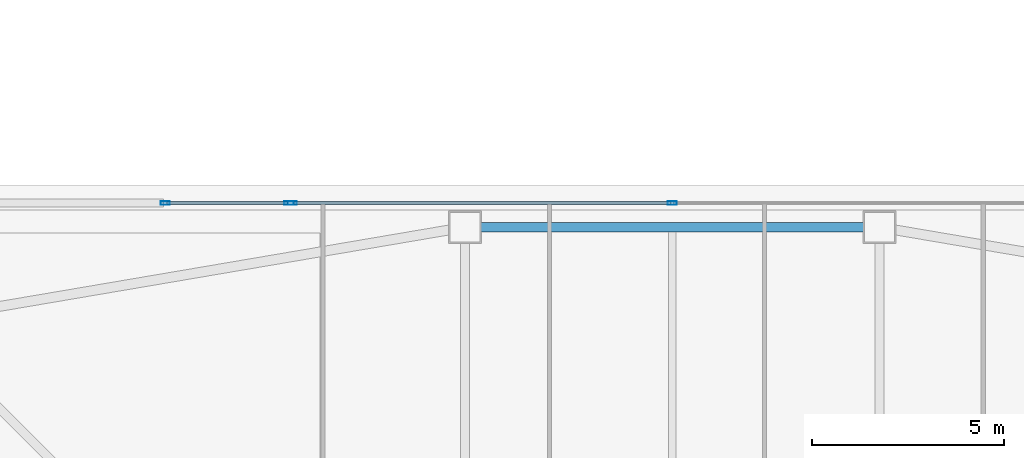
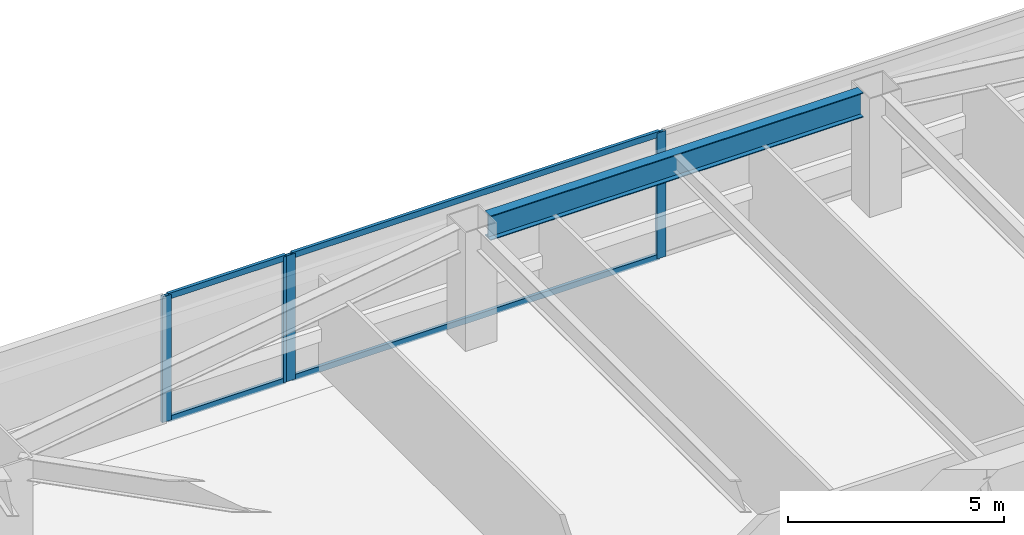
# One storey, part 15 of 48: 8 members, 1 beam, 2 elements without a shape of their own.
"""IFC4 building model written with IfcOpenShell, lengths in metres."""

from ifc_helpers import new_model, si_unit, direction, frame, origin, origin_2d, place, context, subcontext, project, spatial, hollow_rectangle, i_section, extrude, material, material_profile, profile_set, type_object, element, aggregate, save


model = new_model("IFC4")

# Units and contexts
model_context = context("Model", 3, precision=1e-05, world=origin(), true_north=direction((0.0, 1.0)))
body_context = subcontext(model_context, "Body", "Model", "MODEL_VIEW")
ifc_project = project(units=[si_unit("LENGTHUNIT", "METRE"), si_unit("AREAUNIT", "SQUARE_METRE"), si_unit("VOLUMEUNIT", "CUBIC_METRE"), si_unit("PLANEANGLEUNIT", "RADIAN"), si_unit("MASSUNIT", "GRAM", prefix="KILO")], contexts=[model_context])

# Site, building, storey
site_placement = place(None, origin())
site = spatial("IfcSite", under=ifc_project, at=site_placement, CompositionType="ELEMENT")
building_placement = place(site_placement, origin())
building = spatial("IfcBuilding", under=site, at=building_placement, Name="Tashvorn Skyway Center", CompositionType="ELEMENT")
storey_placement = place(building_placement, frame((0.0, 0.0, 56.550048828125)))
storey = spatial("IfcBuildingStorey", under=building, at=storey_placement, Name="L14", CompositionType="ELEMENT", Elevation=56.550048828125)

# Beam
ifc_material_1 = material(Name="Steel ASTM A992 Grade 50", Category="steel")
ifc_material_profile_1 = material_profile(ifc_material_1, i_section(OverallWidth=0.256103515625, OverallDepth=0.693115234375, WebThickness=0.014404296875, FlangeThickness=0.023681640625, at=origin_2d()), Name="W27X114")
ifc_profile_set_1 = profile_set([ifc_material_profile_1], Name="Steel ASTM A992 Grade 50")
beam_type = type_object("IfcBeamType", Name="BM-SPANDREL-W27X114", PredefinedType="SPANDREL", material=ifc_profile_set_1)
beam_placement = place(storey_placement, frame((46.97998046875, 54.25, 3.00341796875), z_axis=(-1.0, 0.0, 0.0), x_axis=(0.0, -1.0, 0.0)))
element("IfcBeam", 1, at=beam_placement, inside=storey, type_object=beam_type, Name="Tower 1 L14 Spandrel Beam 08", PredefinedType="SPANDREL", context=body_context, shape_type="SweptSolid", body=[
    extrude(i_section(OverallWidth=0.256103515625, OverallDepth=0.693115234375, WebThickness=0.014404296875, FlangeThickness=0.023681640625, at=origin_2d()), origin(), (0.0, 0.0, 1.0), 9.9599609375),
])

# Curtain wall, members
ifc_material_2 = material(Name="Thermally broken bronze-anodized aluminium 6063-T6", Category="aluminium")
curtain_wall_type = type_object("IfcCurtainWallType", Name="CW-CW-Z1", PredefinedType="NOTDEFINED", material=ifc_material_2)
curtain_wall_1_placement = place(storey_placement, origin())
curtain_wall_1 = element("IfcCurtainWall", 2, at=curtain_wall_1_placement, inside=storey, type_object=curtain_wall_type, Name="Tower 1 L14 North Unitised Curtain Wall Glazing Group 1", PredefinedType="NOTDEFINED")
ifc_material_profile_2 = material_profile(ifc_material_2, hollow_rectangle(XDim=0.0849609375, YDim=0.239990234375, WallThickness=0.0048828125, at=origin_2d()), Name="ALU-MULL-85x240")
ifc_profile_set_2 = profile_set([ifc_material_profile_2], Name="Thermally broken bronze-anodized aluminium 6063-T6")
member_type_1 = type_object("IfcMemberType", Name="CWM-CW-Z1", PredefinedType="MULLION", material=ifc_profile_set_2)
member_1_placement = place(storey_placement, frame((28.789306640625, 54.8798828125, 0.0), z_axis=(0.0, 0.0, 1.0), x_axis=(0.0, 1.0, 0.0)))
member_1 = element("IfcMember", 3, at=member_1_placement, type_object=member_type_1, Name="CW-Z1 mullion 1", PredefinedType="MULLION", context=body_context, shape_type="SweptSolid", body=[
    extrude(hollow_rectangle(XDim=0.0849609375, YDim=0.239990234375, WallThickness=0.0048828125, at=origin_2d()), origin(), (0.0, 0.0, 1.0), 3.550048828125),
])
member_2_placement = place(storey_placement, frame((32.017578125, 54.8798828125, 0.0), z_axis=(0.0, 0.0, 1.0), x_axis=(0.0, 1.0, 0.0)))
member_2 = element("IfcMember", 4, at=member_2_placement, type_object=member_type_1, Name="CW-Z1 mullion 2", PredefinedType="MULLION", context=body_context, shape_type="SweptSolid", body=[
    extrude(hollow_rectangle(XDim=0.0849609375, YDim=0.239990234375, WallThickness=0.0048828125, at=origin_2d()), origin(), (0.0, 0.0, 1.0), 3.550048828125),
])

curtain_wall_2_placement = place(storey_placement, origin())
curtain_wall_2 = element("IfcCurtainWall", 5, at=curtain_wall_2_placement, inside=storey, type_object=curtain_wall_type, Name="Tower 1 L14 North Unitised Curtain Wall Glazing Group 2", PredefinedType="NOTDEFINED")
member_3_placement = place(storey_placement, frame((32.1025390625, 54.8798828125, 0.0), z_axis=(0.0, 0.0, 1.0), x_axis=(0.0, 1.0, 0.0)))
member_3 = element("IfcMember", 6, at=member_3_placement, type_object=member_type_1, Name="CW-Z1 mullion 1", PredefinedType="MULLION", context=body_context, shape_type="SweptSolid", body=[
    extrude(hollow_rectangle(XDim=0.0849609375, YDim=0.239990234375, WallThickness=0.0048828125, at=origin_2d()), origin(), (0.0, 0.0, 1.0), 3.550048828125),
])
member_4_placement = place(storey_placement, frame((42.0, 54.8798828125, 0.0), z_axis=(0.0, 0.0, 1.0), x_axis=(0.0, 1.0, 0.0)))
member_4 = element("IfcMember", 7, at=member_4_placement, type_object=member_type_1, Name="CW-Z1 mullion 2", PredefinedType="MULLION", context=body_context, shape_type="SweptSolid", body=[
    extrude(hollow_rectangle(XDim=0.0849609375, YDim=0.239990234375, WallThickness=0.0048828125, at=origin_2d()), origin(), (0.0, 0.0, 1.0), 3.550048828125),
])

# Member
ifc_material_profile_3 = material_profile(ifc_material_2, hollow_rectangle(XDim=0.0849609375, YDim=0.1650390625, WallThickness=0.0048828125, at=origin_2d()), Name="ALU-TRAN-85x165")
ifc_profile_set_3 = profile_set([ifc_material_profile_3], Name="Thermally broken bronze-anodized aluminium 6063-T6")
member_type_2 = type_object("IfcMemberType", Name="CWT-CW-Z1", PredefinedType="USERDEFINED", material=ifc_profile_set_3)
member_5_placement = place(storey_placement, frame((28.831787109375, 54.8798828125, 0.04248046875), z_axis=(1.0, 0.0, 0.0), x_axis=(0.0, 1.0, 0.0)))
member_5 = element("IfcMember", 8, at=member_5_placement, type_object=member_type_2, Name="CW-Z1 transom 1.1", ObjectType="TRANSOM", PredefinedType="USERDEFINED", context=body_context, shape_type="SweptSolid", body=[
    extrude(hollow_rectangle(XDim=0.0849609375, YDim=0.1650390625, WallThickness=0.0048828125, at=origin_2d()), origin(), (0.0, 0.0, 1.0), 3.143310546875),
])

member_6_placement = place(storey_placement, frame((28.831787109375, 54.8798828125, 3.507568359375), z_axis=(1.0, 0.0, 0.0), x_axis=(0.0, 1.0, 0.0)))
member_6 = element("IfcMember", 9, at=member_6_placement, type_object=member_type_2, Name="CW-Z1 transom 1.2", ObjectType="TRANSOM", PredefinedType="USERDEFINED", context=body_context, shape_type="SweptSolid", body=[
    extrude(hollow_rectangle(XDim=0.0849609375, YDim=0.1650390625, WallThickness=0.0048828125, at=origin_2d()), origin(), (0.0, 0.0, 1.0), 3.143310546875),
])

aggregate(curtain_wall_1, [member_1, member_2, member_5, member_6])

member_7_placement = place(storey_placement, frame((32.14501953125, 54.8798828125, 0.04248046875), z_axis=(1.0, 0.0, 0.0), x_axis=(0.0, 1.0, 0.0)))
member_7 = element("IfcMember", 10, at=member_7_placement, type_object=member_type_2, Name="CW-Z1 transom 1.1", ObjectType="TRANSOM", PredefinedType="USERDEFINED", context=body_context, shape_type="SweptSolid", body=[
    extrude(hollow_rectangle(XDim=0.0849609375, YDim=0.1650390625, WallThickness=0.0048828125, at=origin_2d()), origin(), (0.0, 0.0, 1.0), 9.8125),
])

member_8_placement = place(storey_placement, frame((32.14501953125, 54.8798828125, 3.507568359375), z_axis=(1.0, 0.0, 0.0), x_axis=(0.0, 1.0, 0.0)))
member_8 = element("IfcMember", 11, at=member_8_placement, type_object=member_type_2, Name="CW-Z1 transom 1.2", ObjectType="TRANSOM", PredefinedType="USERDEFINED", context=body_context, shape_type="SweptSolid", body=[
    extrude(hollow_rectangle(XDim=0.0849609375, YDim=0.1650390625, WallThickness=0.0048828125, at=origin_2d()), origin(), (0.0, 0.0, 1.0), 9.8125),
])

aggregate(curtain_wall_2, [member_3, member_4, member_7, member_8])

save(model, "model.ifc")
